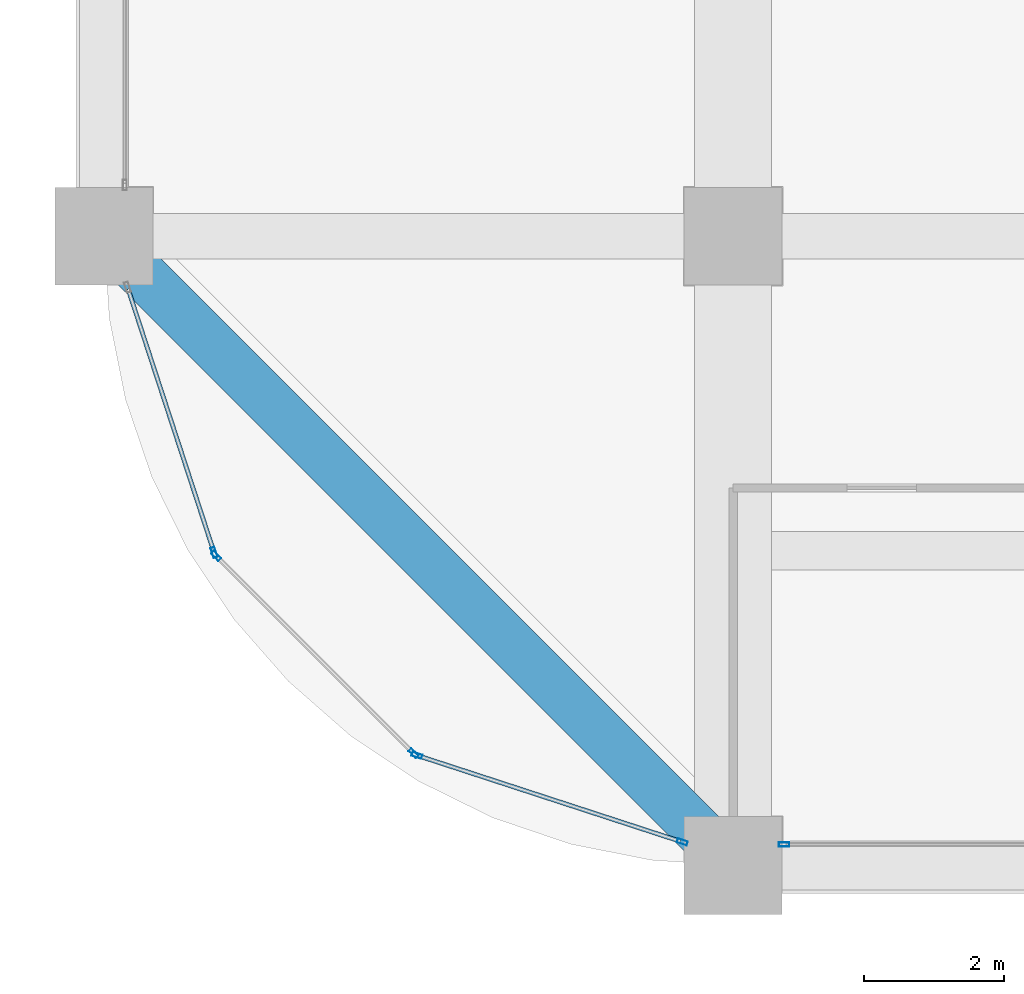
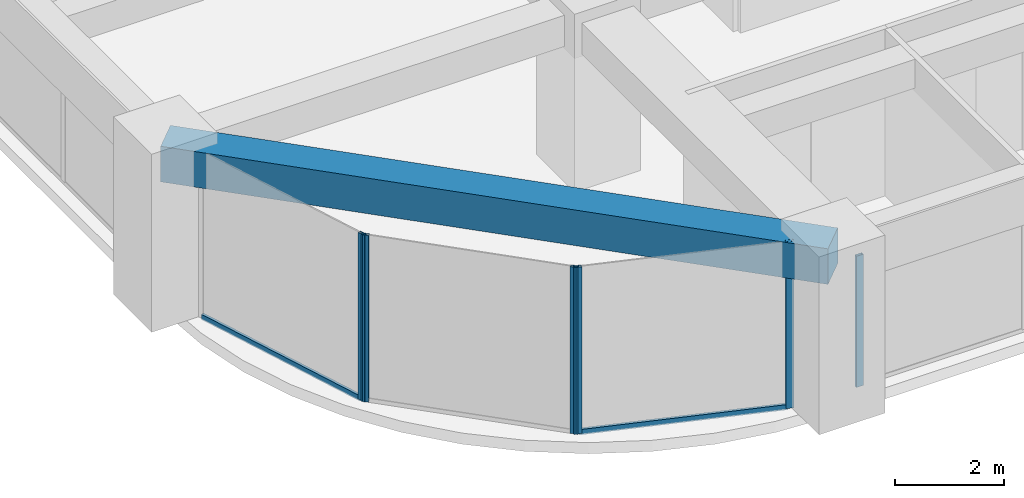
# One storey, part 2 of 33: 8 members, 1 beam, 4 elements without a shape of their own.
"""IFC4 building model written with IfcOpenShell, lengths in metres."""

import ifcopenshell
import ifcopenshell.guid

model = None  # the IFC model being written
_history = None  # IfcOwnerHistory: only IFC2X3 demands one
_inside = {}  # id of a spatial element -> (the spatial element, [elements in it])
_under = {}  # id of a project, library or spatial element -> (it, [spatial elements below it])
_declared = {}  # id of a project -> (the project, [libraries it declares])
_typed = {}  # id of a type object -> (the type object, [elements of that type])
_made_of = {}  # id of a material, layer set ... -> (it, [elements and type objects made of it])


def new_model(schema):
    """Start an empty IFC model of exactly this schema.

    Asked for "IFC4X3", IfcOpenShell would pick the latest addendum, in which some entities
    have other attributes; the version numbers below select the first issue.
    IFC2X3 requires an IfcOwnerHistory on every rooted entity: one is made here for all.
    """
    global model, _history
    if schema == "IFC4X3":
        model = ifcopenshell.file(schema_version=(4, 3, 0, 0))
    else:
        model = ifcopenshell.file(schema=schema)
    _inside.clear()
    _under.clear()
    _declared.clear()
    _typed.clear()
    _made_of.clear()
    _history = None
    if model.schema == "IFC2X3":
        org = make("IfcOrganization", Name="unknown")
        user = make(
            "IfcPersonAndOrganization",
            ThePerson=make("IfcPerson", FamilyName="unknown"),
            TheOrganization=org,
        )
        app = make(
            "IfcApplication",
            ApplicationDeveloper=org,
            Version="unknown",
            ApplicationFullName="unknown",
            ApplicationIdentifier="unknown",
        )
        _history = make(
            "IfcOwnerHistory",
            OwningUser=user,
            OwningApplication=app,
            ChangeAction="ADDED",
            CreationDate=0,
        )
    return model


def make(cls, **values):
    """One entity of the class cls with the attributes given. An attribute that is None is left unset."""
    return model.create_entity(
        cls, **{name: value for name, value in values.items() if value is not None}
    )


def rooted(cls, **values):
    """An entity with a GlobalId (a new one), such as an element, a storey or a relation."""
    return make(cls, GlobalId=ifcopenshell.guid.new(), OwnerHistory=_history, **values)


def si_unit(unit_type, name, prefix=None):
    """IfcSIUnit, for example si_unit("LENGTHUNIT", "METRE", prefix="MILLI")."""
    return make("IfcSIUnit", UnitType=unit_type, Prefix=prefix, Name=name)


def assignment(units):
    """IfcUnitAssignment: the units of a project."""
    return None if units is None else make("IfcUnitAssignment", Units=units)


def point(xyz):
    """IfcCartesianPoint."""
    return None if xyz is None else make("IfcCartesianPoint", Coordinates=xyz)


def direction(xyz):
    """IfcDirection."""
    return None if xyz is None else make("IfcDirection", DirectionRatios=xyz)


def frame(location, z_axis=None, x_axis=None):
    """IfcAxis2Placement3D, a coordinate frame: its origin and axes. An axis left out is left unset."""
    return make(
        "IfcAxis2Placement3D",
        Location=point(location),
        Axis=direction(z_axis),
        RefDirection=direction(x_axis),
    )


def frame_2d(location, x_axis=None):
    """IfcAxis2Placement2D, a coordinate frame in the plane: its origin and x axis."""
    return make(
        "IfcAxis2Placement2D", Location=point(location), RefDirection=direction(x_axis)
    )


def origin():
    """The frame at (0, 0, 0) with its axes left unset."""
    return frame((0.0, 0.0, 0.0))


def origin_2d():
    """The frame at (0, 0) in the plane with its x axis left unset."""
    return frame_2d((0.0, 0.0))


def place(relative_to, where):
    """IfcLocalPlacement: puts the frame where relative to a parent placement (None: the world)."""
    return make(
        "IfcLocalPlacement", PlacementRelTo=relative_to, RelativePlacement=where
    )


def context(
    kind, dimensions, precision=None, world=None, true_north=None, identifier=None
):
    """IfcGeometricRepresentationContext, for example the 3D "Model" context."""
    return make(
        "IfcGeometricRepresentationContext",
        ContextIdentifier=identifier,
        ContextType=kind,
        CoordinateSpaceDimension=dimensions,
        Precision=precision,
        WorldCoordinateSystem=world,
        TrueNorth=true_north,
    )


def subcontext(parent, identifier, kind, view, scale=None):
    """IfcGeometricRepresentationSubContext, for example "Body" below "Model"."""
    return make(
        "IfcGeometricRepresentationSubContext",
        ContextIdentifier=identifier,
        ContextType=kind,
        ParentContext=parent,
        TargetScale=scale,
        TargetView=view,
    )


def project(units=None, contexts=None):
    """IfcProject with its units and contexts."""
    return rooted(
        "IfcProject",
        Name="project",
        RepresentationContexts=contexts,
        UnitsInContext=assignment(units),
    )


def spatial(cls, under=None, at=None, **own):
    """A site, building, storey or space (cls), placed at a placement, below another one or the project."""
    s = rooted(cls, ObjectPlacement=at, **own)
    if under is not None:
        _under.setdefault(under.id(), (under, []))[1].append(s)
    return s


def profile(cls, at=None, kind="AREA", **sizes):
    """A parametric profile (cls). Its sizes go by their IFC names, for example OverallWidth=200.0."""
    return make(cls, ProfileType=kind, Position=at, **sizes)


def rectangle(**sizes):
    """IfcRectangleProfileDef."""
    return profile("IfcRectangleProfileDef", **sizes)


def hollow_rectangle(**sizes):
    """IfcRectangleHollowProfileDef."""
    return profile("IfcRectangleHollowProfileDef", **sizes)


def extrude(swept, where, along, depth):
    """IfcExtrudedAreaSolid: the profile swept, set in the frame where, extruded along a direction by depth."""
    return make(
        "IfcExtrudedAreaSolid",
        SweptArea=swept,
        Position=where,
        ExtrudedDirection=direction(along),
        Depth=depth,
    )


def shape(context_of_items, identifier, shape_type, items):
    """IfcShapeRepresentation: the items that make up one representation, for example the "Body"."""
    return make(
        "IfcShapeRepresentation",
        ContextOfItems=context_of_items,
        RepresentationIdentifier=identifier,
        RepresentationType=shape_type,
        Items=items,
    )


def material(Name=None, Category=None):
    """IfcMaterial."""
    return make("IfcMaterial", Name=Name, Category=Category)


def material_profile(
    of_material, cross_section, Name=None, Category=None, Priority=None
):
    """IfcMaterialProfile: a cross section and its material."""
    return make(
        "IfcMaterialProfile",
        Name=Name,
        Material=of_material,
        Profile=cross_section,
        Priority=Priority,
        Category=Category,
    )


def profile_set(profiles, Name=None, composite=None):
    """IfcMaterialProfileSet."""
    return make(
        "IfcMaterialProfileSet",
        Name=Name,
        MaterialProfiles=profiles,
        CompositeProfile=composite,
    )


def made_of(thing, what):
    """Note that an element or type object is made of a material, layer set ...; save() writes the relation."""
    if what is not None:
        _made_of.setdefault(what.id(), (what, []))[1].append(thing)
    return thing


def type_object(cls, material=None, **own):
    """A type object (cls), such as IfcWallType, which elements share."""
    return made_of(rooted(cls, **own), material)


def element(
    cls,
    number,
    at=None,
    inside=None,
    cuts=None,
    type_object=None,
    material=None,
    context=None,
    identifier="Body",
    shape_type=None,
    held_by="IfcProductDefinitionShape",
    body=None,
    shapes=None,
    **own,
):
    """One element of the class cls, such as IfcWall. Its Tag is "e" and its number.

    at: its placement. inside: the storey or other place that contains it. cuts: it is an
    opening in that element (IfcRelVoidsElement). A single representation is given by context,
    identifier, shape_type and body (its items); several are given by shapes. held_by: the class
    of the entity that holds the representations. save() writes the other relations.
    """
    e = rooted(cls, Tag="e%d" % number, ObjectPlacement=at, **own)
    if body is not None:
        shapes = [shape(context, identifier, shape_type, body)]
    if shapes is not None:
        e.Representation = make(held_by, Representations=shapes)
    if inside is not None:
        _inside.setdefault(inside.id(), (inside, []))[1].append(e)
    if cuts is not None:
        rooted(
            "IfcRelVoidsElement", RelatingBuildingElement=cuts, RelatedOpeningElement=e
        )
    if type_object is not None:
        _typed.setdefault(type_object.id(), (type_object, []))[1].append(e)
    return made_of(e, material)


def aggregate(whole, parts):
    """IfcRelAggregates: a whole, such as a stair, and the parts it consists of."""
    return rooted("IfcRelAggregates", RelatingObject=whole, RelatedObjects=parts)


def save(model, path):
    """Write the relations noted so far, then the file.

    IfcRelAggregates (storeys below a building ...), IfcRelContainedInSpatialStructure (elements
    in a storey), IfcRelDefinesByType, IfcRelAssociatesMaterial and IfcRelDeclares: one each for
    every whole, place, type object, material and project.
    """
    for whole, parts in _under.values():
        aggregate(whole, parts)
    for where, things in _inside.values():
        rooted(
            "IfcRelContainedInSpatialStructure",
            RelatedElements=things,
            RelatingStructure=where,
        )
    for kind, things in _typed.values():
        rooted("IfcRelDefinesByType", RelatedObjects=things, RelatingType=kind)
    for what, things in _made_of.values():
        rooted("IfcRelAssociatesMaterial", RelatedObjects=things, RelatingMaterial=what)
    for by, libraries in _declared.values():
        rooted("IfcRelDeclares", RelatingContext=by, RelatedDefinitions=libraries)
    model.write(path)


model = new_model("IFC4")

# Units and contexts
model_context = context("Model", 3, precision=1e-05, world=origin(), true_north=direction((0.0, 1.0)))
body_context = subcontext(model_context, "Body", "Model", "MODEL_VIEW")
ifc_project = project(units=[si_unit("LENGTHUNIT", "METRE"), si_unit("AREAUNIT", "SQUARE_METRE"), si_unit("VOLUMEUNIT", "CUBIC_METRE"), si_unit("PLANEANGLEUNIT", "RADIAN"), si_unit("MASSUNIT", "GRAM", prefix="KILO")], contexts=[model_context])

# Site, building, storey
site_placement = place(None, origin())
site = spatial("IfcSite", under=ifc_project, at=site_placement, CompositionType="ELEMENT")
building_placement = place(site_placement, origin())
building = spatial("IfcBuilding", under=site, at=building_placement, Name="Zorevar Civic Tower", CompositionType="ELEMENT")
storey_placement = place(building_placement, frame((0.0, 0.0, 210.199951171875)))
storey = spatial("IfcBuildingStorey", under=building, at=storey_placement, Name="L51", CompositionType="ELEMENT", Elevation=210.199951171875)

# Curtain wall, member
ifc_material_1 = material(Name="Dark grey solar-control glass in black aluminium frame", Category="aluminium")
curtain_wall_type = type_object("IfcCurtainWallType", Name="Curtain wall CW4 high zone", PredefinedType="NOTDEFINED", material=ifc_material_1)
curtain_wall_1_placement = place(storey_placement, origin())
curtain_wall_1 = element("IfcCurtainWall", 1, at=curtain_wall_1_placement, inside=storey, type_object=curtain_wall_type, Name="CW4 L51", PredefinedType="NOTDEFINED")
ifc_material_2 = material(Name="Aluminium, black anodised", Category="aluminium")
ifc_material_profile_1 = material_profile(ifc_material_2, hollow_rectangle(XDim=0.06005859375, YDim=0.14990234375, WallThickness=0.00390625, at=origin_2d()), Name="AL 150x60x4")
ifc_profile_set_1 = profile_set([ifc_material_profile_1], Name="Aluminium, black anodised")
member_type_1 = type_object("IfcMemberType", Name="CW4 mullion AL 150x60x4", PredefinedType="MULLION", material=ifc_profile_set_1)
member_1_placement = place(storey_placement, frame((9.72998046875, 0.300048828125, 0.0), z_axis=(0.0, 0.0, 1.0), x_axis=(0.0, 1.0, 0.0)))
member_1 = element("IfcMember", 2, at=member_1_placement, type_object=member_type_1, Name="CW4 mullion 1", PredefinedType="MULLION", context=body_context, shape_type="SweptSolid", body=[
    extrude(hollow_rectangle(XDim=0.06005859375, YDim=0.14990234375, WallThickness=0.00390625, at=origin_2d()), origin(), (0.0, 0.0, 1.0), 2.949951171875),
])
aggregate(curtain_wall_1, [member_1])

curtain_wall_2_placement = place(storey_placement, origin())
curtain_wall_2 = element("IfcCurtainWall", 3, at=curtain_wall_2_placement, inside=storey, type_object=curtain_wall_type, Name="CW4 L51", PredefinedType="NOTDEFINED")
member_2_placement = place(storey_placement, frame((1.57568359375, 4.477783203125, 0.0), z_axis=(0.0, 0.0, 1.0), x_axis=(0.950644749916, 0.310281419775, 0.0)))
member_2 = element("IfcMember", 4, at=member_2_placement, type_object=member_type_1, Name="CW4 mullion 2", PredefinedType="MULLION", context=body_context, shape_type="SweptSolid", body=[
    extrude(hollow_rectangle(XDim=0.06005859375, YDim=0.14990234375, WallThickness=0.00390625, at=origin_2d()), origin(), (0.0, 0.0, 1.0), 3.75),
])

# Curtain wall, members
curtain_wall_3_placement = place(storey_placement, origin())
curtain_wall_3 = element("IfcCurtainWall", 5, at=curtain_wall_3_placement, inside=storey, type_object=curtain_wall_type, Name="CW4 L51", PredefinedType="NOTDEFINED")
member_3_placement = place(storey_placement, frame((1.606201171875, 4.427978515625, 0.0), z_axis=(0.0, 0.0, 1.0), x_axis=(0.707106781187, 0.707106781187, 0.0)))
member_3 = element("IfcMember", 6, at=member_3_placement, type_object=member_type_1, Name="CW4 mullion 1", PredefinedType="MULLION", context=body_context, shape_type="SweptSolid", body=[
    extrude(hollow_rectangle(XDim=0.06005859375, YDim=0.14990234375, WallThickness=0.00390625, at=origin_2d()), origin(), (0.0, 0.0, 1.0), 3.75),
])
member_4_placement = place(storey_placement, frame((4.427978515625, 1.606201171875, 0.0), z_axis=(0.0, 0.0, 1.0), x_axis=(0.707106781187, 0.707106781187, 0.0)))
member_4 = element("IfcMember", 7, at=member_4_placement, type_object=member_type_1, Name="CW4 mullion 2", PredefinedType="MULLION", context=body_context, shape_type="SweptSolid", body=[
    extrude(hollow_rectangle(XDim=0.06005859375, YDim=0.14990234375, WallThickness=0.00390625, at=origin_2d()), origin(), (0.0, 0.0, 1.0), 3.75),
])
aggregate(curtain_wall_3, [member_3, member_4])

curtain_wall_4_placement = place(storey_placement, origin())
curtain_wall_4 = element("IfcCurtainWall", 8, at=curtain_wall_4_placement, inside=storey, type_object=curtain_wall_type, Name="CW4 L51", PredefinedType="NOTDEFINED")
member_5_placement = place(storey_placement, frame((4.477783203125, 1.57568359375, 0.0), z_axis=(0.0, 0.0, 1.0), x_axis=(0.310281419775, 0.950644749916, 0.0)))
member_5 = element("IfcMember", 9, at=member_5_placement, type_object=member_type_1, Name="CW4 mullion 1", PredefinedType="MULLION", context=body_context, shape_type="SweptSolid", body=[
    extrude(hollow_rectangle(XDim=0.06005859375, YDim=0.14990234375, WallThickness=0.00390625, at=origin_2d()), origin(), (0.0, 0.0, 1.0), 3.75),
])
member_6_placement = place(storey_placement, frame((8.271484375, 0.337646484375, 0.0), z_axis=(0.0, 0.0, 1.0), x_axis=(0.310281419775, 0.950644749916, 0.0)))
member_6 = element("IfcMember", 10, at=member_6_placement, type_object=member_type_1, Name="CW4 mullion 2", PredefinedType="MULLION", context=body_context, shape_type="SweptSolid", body=[
    extrude(hollow_rectangle(XDim=0.06005859375, YDim=0.14990234375, WallThickness=0.00390625, at=origin_2d()), origin(), (0.0, 0.0, 1.0), 3.75),
])

# Member
ifc_material_3 = material(Name="Aluminium, black anodised", Category="aluminium")
ifc_material_profile_2 = material_profile(ifc_material_3, hollow_rectangle(XDim=0.06005859375, YDim=0.1201171875, WallThickness=0.0029296875, at=origin_2d()), Name="AL 120x60x3")
ifc_profile_set_2 = profile_set([ifc_material_profile_2], Name="Aluminium, black anodised")
member_type_2 = type_object("IfcMemberType", Name="CW4 transom AL 120x60x3", PredefinedType="USERDEFINED", material=ifc_profile_set_2)
member_7_placement = place(storey_placement, frame((0.346923828125, 8.242919921875, 0.030029296875), z_axis=(0.31025859143, -0.950652200568, 0.0), x_axis=(0.950652200568, 0.31025859143, 0.0)))
member_7 = element("IfcMember", 11, at=member_7_placement, type_object=member_type_2, Name="CW4 sill transom", ObjectType="TRANSOM", PredefinedType="USERDEFINED", context=body_context, shape_type="SweptSolid", body=[
    extrude(hollow_rectangle(XDim=0.06005859375, YDim=0.1201171875, WallThickness=0.0029296875, at=origin_2d()), origin(), (0.0, 0.0, 1.0), 3.930419921875),
])

aggregate(curtain_wall_2, [member_2, member_7])

member_8_placement = place(storey_placement, frame((4.50634765625, 1.56640625, 0.030029296875), z_axis=(0.950652200568, -0.31025859143, 0.0), x_axis=(0.31025859143, 0.950652200568, 0.0)))
member_8 = element("IfcMember", 12, at=member_8_placement, type_object=member_type_2, Name="CW4 sill transom", ObjectType="TRANSOM", PredefinedType="USERDEFINED", context=body_context, shape_type="SweptSolid", body=[
    extrude(hollow_rectangle(XDim=0.06005859375, YDim=0.1201171875, WallThickness=0.0029296875, at=origin_2d()), origin(), (0.0, 0.0, 1.0), 3.930419921875),
])

aggregate(curtain_wall_4, [member_5, member_6, member_8])

# Beam
ifc_material_4 = material(Name="Concrete C50/60", Category="concrete")
ifc_material_profile_3 = material_profile(ifc_material_4, rectangle(XDim=0.699951171875, YDim=0.800048828125, at=origin_2d()), Name="RC 700x800")
ifc_profile_set_3 = profile_set([ifc_material_profile_3], Name="Concrete C50/60")
beam_type = type_object("IfcBeamType", Name="Edge beam RC 700x800", PredefinedType="SPANDREL", material=ifc_profile_set_3)
beam_placement = place(storey_placement, frame((0.0, 9.0, 3.35009765625), z_axis=(0.707106781187, -0.707106781187, 0.0), x_axis=(0.707106781187, 0.707106781187, 0.0)))
element("IfcBeam", 13, at=beam_placement, inside=storey, type_object=beam_type, Name="Corner edge beam L52", PredefinedType="SPANDREL", context=body_context, shape_type="SweptSolid", body=[
    extrude(rectangle(XDim=0.699951171875, YDim=0.800048828125, at=origin_2d()), origin(), (0.0, 0.0, 1.0), 12.72802734375),
])

save(model, "model.ifc")
